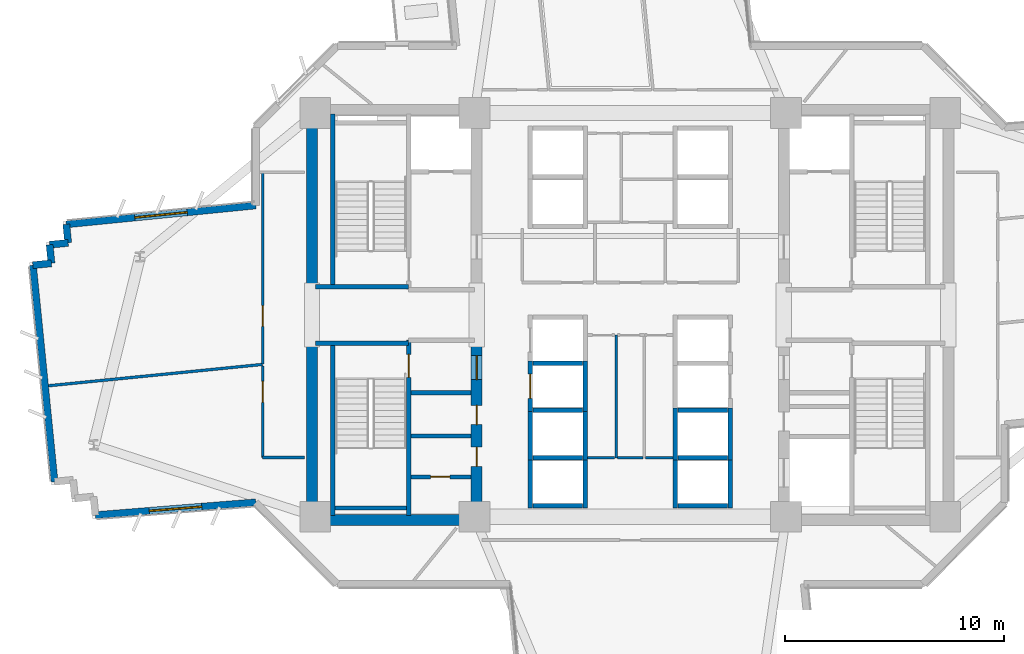
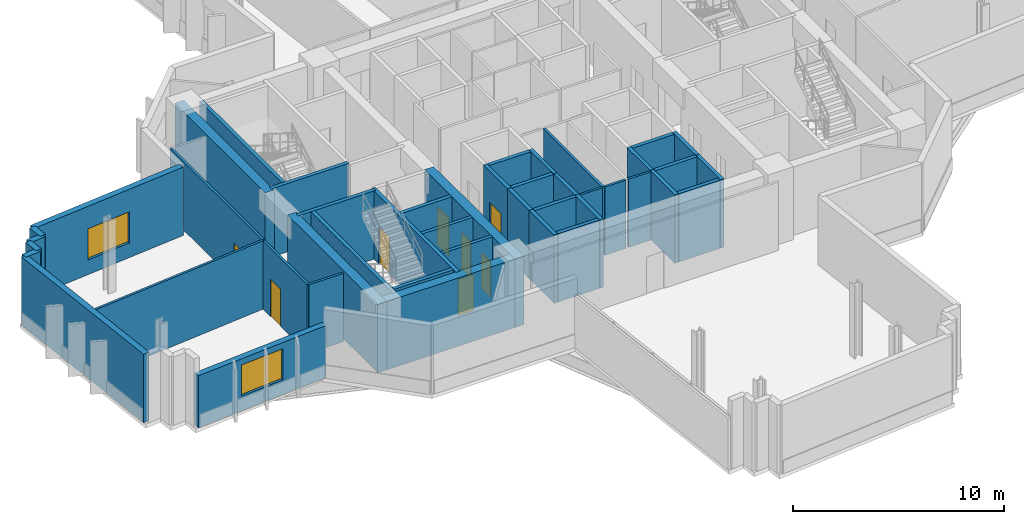
# One storey, part 6 of 14: 45 walls, 8 doors, 2 windows, 10 openings.
"""IFC4 building model written with IfcOpenShell, lengths in metres."""

import ifcopenshell
import ifcopenshell.guid

model = None  # the IFC model being written
_history = None  # IfcOwnerHistory: only IFC2X3 demands one
_inside = {}  # id of a spatial element -> (the spatial element, [elements in it])
_under = {}  # id of a project, library or spatial element -> (it, [spatial elements below it])
_declared = {}  # id of a project -> (the project, [libraries it declares])
_typed = {}  # id of a type object -> (the type object, [elements of that type])
_made_of = {}  # id of a material, layer set ... -> (it, [elements and type objects made of it])


def new_model(schema):
    """Start an empty IFC model of exactly this schema.

    Asked for "IFC4X3", IfcOpenShell would pick the latest addendum, in which some entities
    have other attributes; the version numbers below select the first issue.
    IFC2X3 requires an IfcOwnerHistory on every rooted entity: one is made here for all.
    """
    global model, _history
    if schema == "IFC4X3":
        model = ifcopenshell.file(schema_version=(4, 3, 0, 0))
    else:
        model = ifcopenshell.file(schema=schema)
    _inside.clear()
    _under.clear()
    _declared.clear()
    _typed.clear()
    _made_of.clear()
    _history = None
    if model.schema == "IFC2X3":
        org = make("IfcOrganization", Name="unknown")
        user = make(
            "IfcPersonAndOrganization",
            ThePerson=make("IfcPerson", FamilyName="unknown"),
            TheOrganization=org,
        )
        app = make(
            "IfcApplication",
            ApplicationDeveloper=org,
            Version="unknown",
            ApplicationFullName="unknown",
            ApplicationIdentifier="unknown",
        )
        _history = make(
            "IfcOwnerHistory",
            OwningUser=user,
            OwningApplication=app,
            ChangeAction="ADDED",
            CreationDate=0,
        )
    return model


def make(cls, **values):
    """One entity of the class cls with the attributes given. An attribute that is None is left unset."""
    return model.create_entity(
        cls, **{name: value for name, value in values.items() if value is not None}
    )


def rooted(cls, **values):
    """An entity with a GlobalId (a new one), such as an element, a storey or a relation."""
    return make(cls, GlobalId=ifcopenshell.guid.new(), OwnerHistory=_history, **values)


def si_unit(unit_type, name, prefix=None):
    """IfcSIUnit, for example si_unit("LENGTHUNIT", "METRE", prefix="MILLI")."""
    return make("IfcSIUnit", UnitType=unit_type, Prefix=prefix, Name=name)


def assignment(units):
    """IfcUnitAssignment: the units of a project."""
    return None if units is None else make("IfcUnitAssignment", Units=units)


def point(xyz):
    """IfcCartesianPoint."""
    return None if xyz is None else make("IfcCartesianPoint", Coordinates=xyz)


def direction(xyz):
    """IfcDirection."""
    return None if xyz is None else make("IfcDirection", DirectionRatios=xyz)


def frame(location, z_axis=None, x_axis=None):
    """IfcAxis2Placement3D, a coordinate frame: its origin and axes. An axis left out is left unset."""
    return make(
        "IfcAxis2Placement3D",
        Location=point(location),
        Axis=direction(z_axis),
        RefDirection=direction(x_axis),
    )


def frame_2d(location, x_axis=None):
    """IfcAxis2Placement2D, a coordinate frame in the plane: its origin and x axis."""
    return make(
        "IfcAxis2Placement2D", Location=point(location), RefDirection=direction(x_axis)
    )


def origin():
    """The frame at (0, 0, 0) with its axes left unset."""
    return frame((0.0, 0.0, 0.0))


def place(relative_to, where):
    """IfcLocalPlacement: puts the frame where relative to a parent placement (None: the world)."""
    return make(
        "IfcLocalPlacement", PlacementRelTo=relative_to, RelativePlacement=where
    )


def context(
    kind, dimensions, precision=None, world=None, true_north=None, identifier=None
):
    """IfcGeometricRepresentationContext, for example the 3D "Model" context."""
    return make(
        "IfcGeometricRepresentationContext",
        ContextIdentifier=identifier,
        ContextType=kind,
        CoordinateSpaceDimension=dimensions,
        Precision=precision,
        WorldCoordinateSystem=world,
        TrueNorth=true_north,
    )


def subcontext(parent, identifier, kind, view, scale=None):
    """IfcGeometricRepresentationSubContext, for example "Body" below "Model"."""
    return make(
        "IfcGeometricRepresentationSubContext",
        ContextIdentifier=identifier,
        ContextType=kind,
        ParentContext=parent,
        TargetScale=scale,
        TargetView=view,
    )


def project(units=None, contexts=None):
    """IfcProject with its units and contexts."""
    return rooted(
        "IfcProject",
        Name="project",
        RepresentationContexts=contexts,
        UnitsInContext=assignment(units),
    )


def spatial(cls, under=None, at=None, **own):
    """A site, building, storey or space (cls), placed at a placement, below another one or the project."""
    s = rooted(cls, ObjectPlacement=at, **own)
    if under is not None:
        _under.setdefault(under.id(), (under, []))[1].append(s)
    return s


def profile(cls, at=None, kind="AREA", **sizes):
    """A parametric profile (cls). Its sizes go by their IFC names, for example OverallWidth=200.0."""
    return make(cls, ProfileType=kind, Position=at, **sizes)


def rectangle(**sizes):
    """IfcRectangleProfileDef."""
    return profile("IfcRectangleProfileDef", **sizes)


def extrude(swept, where, along, depth):
    """IfcExtrudedAreaSolid: the profile swept, set in the frame where, extruded along a direction by depth."""
    return make(
        "IfcExtrudedAreaSolid",
        SweptArea=swept,
        Position=where,
        ExtrudedDirection=direction(along),
        Depth=depth,
    )


def shape(context_of_items, identifier, shape_type, items):
    """IfcShapeRepresentation: the items that make up one representation, for example the "Body"."""
    return make(
        "IfcShapeRepresentation",
        ContextOfItems=context_of_items,
        RepresentationIdentifier=identifier,
        RepresentationType=shape_type,
        Items=items,
    )


def source(mapping_origin, context_of_items, identifier, shape_type, items):
    """IfcRepresentationMap: a shape defined once, which mapped items show again and again."""
    return make(
        "IfcRepresentationMap",
        MappingOrigin=mapping_origin,
        MappedRepresentation=shape(context_of_items, identifier, shape_type, items),
    )


def transform(
    local_origin,
    x_axis=None,
    y_axis=None,
    z_axis=None,
    scale=None,
    scale2=None,
    scale3=None,
    uniform=True,
):
    """IfcCartesianTransformationOperator3D, or its non-uniform kind. x_axis, y_axis, z_axis: its Axis1, 2, 3."""
    if uniform:
        return make(
            "IfcCartesianTransformationOperator3D",
            Axis1=direction(x_axis),
            Axis2=direction(y_axis),
            LocalOrigin=point(local_origin),
            Scale=scale,
            Axis3=direction(z_axis),
        )
    return make(
        "IfcCartesianTransformationOperator3DnonUniform",
        Axis1=direction(x_axis),
        Axis2=direction(y_axis),
        LocalOrigin=point(local_origin),
        Scale=scale,
        Axis3=direction(z_axis),
        Scale2=scale2,
        Scale3=scale3,
    )


def mapped(mapping_source, mapping_target):
    """IfcMappedItem: shows the shape of a source again, moved by a transform."""
    return make(
        "IfcMappedItem", MappingSource=mapping_source, MappingTarget=mapping_target
    )


def material(Name=None, Category=None):
    """IfcMaterial."""
    return make("IfcMaterial", Name=Name, Category=Category)


def layer(
    of_material, thickness, ventilated=None, Name=None, Category=None, Priority=None
):
    """IfcMaterialLayer: one layer of a wall or slab, of a material (None: an air gap)."""
    return make(
        "IfcMaterialLayer",
        Material=of_material,
        LayerThickness=thickness,
        IsVentilated=ventilated,
        Name=Name,
        Category=Category,
        Priority=Priority,
    )


def layer_set(layers, Name=None):
    """IfcMaterialLayerSet."""
    return make("IfcMaterialLayerSet", MaterialLayers=layers, LayerSetName=Name)


def made_of(thing, what):
    """Note that an element or type object is made of a material, layer set ...; save() writes the relation."""
    if what is not None:
        _made_of.setdefault(what.id(), (what, []))[1].append(thing)
    return thing


def type_object(cls, material=None, **own):
    """A type object (cls), such as IfcWallType, which elements share."""
    return made_of(rooted(cls, **own), material)


def element(
    cls,
    number,
    at=None,
    inside=None,
    cuts=None,
    type_object=None,
    material=None,
    context=None,
    identifier="Body",
    shape_type=None,
    held_by="IfcProductDefinitionShape",
    body=None,
    shapes=None,
    **own,
):
    """One element of the class cls, such as IfcWall. Its Tag is "e" and its number.

    at: its placement. inside: the storey or other place that contains it. cuts: it is an
    opening in that element (IfcRelVoidsElement). A single representation is given by context,
    identifier, shape_type and body (its items); several are given by shapes. held_by: the class
    of the entity that holds the representations. save() writes the other relations.
    """
    e = rooted(cls, Tag="e%d" % number, ObjectPlacement=at, **own)
    if body is not None:
        shapes = [shape(context, identifier, shape_type, body)]
    if shapes is not None:
        e.Representation = make(held_by, Representations=shapes)
    if inside is not None:
        _inside.setdefault(inside.id(), (inside, []))[1].append(e)
    if cuts is not None:
        rooted(
            "IfcRelVoidsElement", RelatingBuildingElement=cuts, RelatedOpeningElement=e
        )
    if type_object is not None:
        _typed.setdefault(type_object.id(), (type_object, []))[1].append(e)
    return made_of(e, material)


def fill(opening, filler):
    """IfcRelFillsElement: the door or window that sits in an opening."""
    return rooted(
        "IfcRelFillsElement",
        RelatingOpeningElement=opening,
        RelatedBuildingElement=filler,
    )


def aggregate(whole, parts):
    """IfcRelAggregates: a whole, such as a stair, and the parts it consists of."""
    return rooted("IfcRelAggregates", RelatingObject=whole, RelatedObjects=parts)


def save(model, path):
    """Write the relations noted so far, then the file.

    IfcRelAggregates (storeys below a building ...), IfcRelContainedInSpatialStructure (elements
    in a storey), IfcRelDefinesByType, IfcRelAssociatesMaterial and IfcRelDeclares: one each for
    every whole, place, type object, material and project.
    """
    for whole, parts in _under.values():
        aggregate(whole, parts)
    for where, things in _inside.values():
        rooted(
            "IfcRelContainedInSpatialStructure",
            RelatedElements=things,
            RelatingStructure=where,
        )
    for kind, things in _typed.values():
        rooted("IfcRelDefinesByType", RelatedObjects=things, RelatingType=kind)
    for what, things in _made_of.values():
        rooted("IfcRelAssociatesMaterial", RelatedObjects=things, RelatingMaterial=what)
    for by, libraries in _declared.values():
        rooted("IfcRelDeclares", RelatingContext=by, RelatedDefinitions=libraries)
    model.write(path)


model = new_model("IFC4")

# Units and contexts
model_context = context("Model", 3, precision=1e-05, world=origin(), true_north=direction((0.0, 1.0)))
body_context = subcontext(model_context, "Body", "Model", "MODEL_VIEW")
ifc_project = project(units=[si_unit("LENGTHUNIT", "METRE"), si_unit("AREAUNIT", "SQUARE_METRE"), si_unit("VOLUMEUNIT", "CUBIC_METRE"), si_unit("PLANEANGLEUNIT", "RADIAN"), si_unit("MASSUNIT", "GRAM", prefix="KILO")], contexts=[model_context])

# Site, building, storey
site_placement = place(None, origin())
site = spatial("IfcSite", under=ifc_project, at=site_placement, CompositionType="ELEMENT")
building_placement = place(site_placement, origin())
building = spatial("IfcBuilding", under=site, at=building_placement, Name="Zahravan Cultural Tower", CompositionType="ELEMENT")
storey_placement = place(building_placement, frame((0.0, 0.0, 100.5)))
storey = spatial("IfcBuildingStorey", under=building, at=storey_placement, Name="L22", CompositionType="ELEMENT", Elevation=100.5)

# Wall, openings, doors
ifc_material_1 = material(Name="Concrete C60/75", Category="concrete")
ifc_layer_1 = layer(ifc_material_1, 0.5)
ifc_layer_set_1 = layer_set([ifc_layer_1], Name="Concrete C60/75")
wall_type_1 = type_object("IfcWallType", Name="CW-SHEAR-500-C60", PredefinedType="SHEAR", material=ifc_layer_set_1)
wall_1_placement = place(storey_placement, frame((29.0, 17.39990234375, 0.0), z_axis=(0.0, 0.0, 1.0), x_axis=(0.0, 1.0, 0.0)))
wall_1 = element("IfcWall", 1, at=wall_1_placement, inside=storey, type_object=wall_type_1, Name="L22 Core Shear Wall CW-W-ES-L22", PredefinedType="SHEAR", context=body_context, shape_type="SweptSolid", body=[
    extrude(rectangle(XDim=8.550048828125, YDim=0.5, at=frame_2d((4.27490234375, 0.0))), origin(), (0.0, 0.0, 1.0), 3.949951171875),
])
opening_1_placement = place(wall_1_placement, frame((6.64990234375, 0.0, 0.0)))
opening_1 = element("IfcOpeningElement", 2, at=opening_1_placement, cuts=wall_1, Name="Opening D-L22-07", PredefinedType="OPENING", context=body_context, shape_type="SweptSolid", body=[
    extrude(rectangle(XDim=1.10009765625, YDim=2.199951171875, at=frame_2d((0.550048828125, 1.10009765625))), frame((0.0, 0.260009765625, 0.0), z_axis=(0.0, -1.0, 0.0), x_axis=(1.0, 0.0, 0.0)), (0.0, 0.0, 1.0), 0.52001953125),
])
opening_2_placement = place(wall_1_placement, frame((2.699951171875, 0.0, 0.0)))
opening_2 = element("IfcOpeningElement", 3, at=opening_2_placement, cuts=wall_1, Name="Opening D-L22-10", PredefinedType="OPENING", context=body_context, shape_type="SweptSolid", body=[
    extrude(rectangle(XDim=0.8798828125, YDim=2.10009765625, at=frame_2d((0.43994140625, 1.050048828125))), frame((0.0, 0.260009765625, 0.0), z_axis=(0.0, -1.0, 0.0), x_axis=(1.0, 0.0, 0.0)), (0.0, 0.0, 1.0), 0.52001953125),
])
opening_3_placement = place(wall_1_placement, frame((4.60009765625, 0.0, 0.0)))
opening_3 = element("IfcOpeningElement", 4, at=opening_3_placement, cuts=wall_1, Name="Opening D-L22-11", PredefinedType="OPENING", context=body_context, shape_type="SweptSolid", body=[
    extrude(rectangle(XDim=0.8798828125, YDim=2.10009765625, at=frame_2d((0.43994140625, 1.050048828125))), frame((0.0, 0.260009765625, 0.0), z_axis=(0.0, -1.0, 0.0), x_axis=(1.0, 0.0, 0.0)), (0.0, 0.0, 1.0), 0.52001953125),
])
ifc_material_2 = material(Name="Steel ASTM A572 Grade 50", Category="steel")
door_type_1 = type_object("IfcDoorType", Name="DR-LOBBY-1100", OperationType="NOTDEFINED", PredefinedType="DOOR", material=ifc_material_2)
shared_shape_1 = source(origin(), body_context, "Body", "SweptSolid", [
    extrude(rectangle(XDim=1.10009765625, YDim=2.199951171875, at=frame_2d((0.550048828125, 1.10009765625))), frame((0.0, 0.02490234375, 0.0), z_axis=(0.0, -1.0, 0.0), x_axis=(1.0, 0.0, 0.0)), (0.0, 0.0, 1.0), 0.050048828125),
])
door_1_placement = place(opening_1_placement, origin())
door_1 = element("IfcDoor", 5, at=door_1_placement, inside=storey, type_object=door_type_1, Name="L22 Door D-L22-07", OperationType="SINGLE_SWING_RIGHT", OverallHeight=2.199951171875, OverallWidth=1.10009765625, PredefinedType="DOOR", context=body_context, shape_type="MappedRepresentation", body=[
    mapped(shared_shape_1, transform((0.0, 0.0, 0.0), x_axis=(1.0, 0.0, 0.0), y_axis=(0.0, 1.0, 0.0), z_axis=(0.0, 0.0, 1.0), scale=1.0)),
])
fill(opening_1, door_1)
door_type_2 = type_object("IfcDoorType", Name="DR-SVC-880", OperationType="NOTDEFINED", PredefinedType="DOOR", material=ifc_material_2)
shared_shape_2 = source(origin(), body_context, "Body", "SweptSolid", [
    extrude(rectangle(XDim=0.8798828125, YDim=2.10009765625, at=frame_2d((0.43994140625, 1.050048828125))), frame((0.0, 0.02490234375, 0.0), z_axis=(0.0, -1.0, 0.0), x_axis=(1.0, 0.0, 0.0)), (0.0, 0.0, 1.0), 0.050048828125),
])
door_2_placement = place(opening_2_placement, origin())
door_2 = element("IfcDoor", 6, at=door_2_placement, inside=storey, type_object=door_type_2, Name="L22 Door D-L22-10", OperationType="SINGLE_SWING_LEFT", OverallHeight=2.10009765625, OverallWidth=0.8798828125, PredefinedType="DOOR", context=body_context, shape_type="MappedRepresentation", body=[
    mapped(shared_shape_2, transform((0.0, 0.0, 0.0), x_axis=(1.0, 0.0, 0.0), y_axis=(0.0, 1.0, 0.0), z_axis=(0.0, 0.0, 1.0), scale=1.0)),
])
fill(opening_2, door_2)
door_3_placement = place(opening_3_placement, origin())
door_3 = element("IfcDoor", 7, at=door_3_placement, inside=storey, type_object=door_type_2, Name="L22 Door D-L22-11", OperationType="SINGLE_SWING_RIGHT", OverallHeight=2.10009765625, OverallWidth=0.8798828125, PredefinedType="DOOR", context=body_context, shape_type="MappedRepresentation", body=[
    mapped(shared_shape_2, transform((0.0, 0.0, 0.0), x_axis=(1.0, 0.0, 0.0), y_axis=(0.0, 1.0, 0.0), z_axis=(0.0, 0.0, 1.0), scale=1.0)),
])
fill(opening_3, door_3)

# Wall, opening, window
ifc_material_3 = material(Name="Precast concrete C40/50", Category="concrete")
ifc_layer_2 = layer(ifc_material_3, 0.320068359375)
ifc_layer_set_2 = layer_set([ifc_layer_2], Name="Precast concrete C40/50")
wall_type_2 = type_object("IfcWallType", Name="EW-TC-320", PredefinedType="SOLIDWALL", material=ifc_layer_set_2)
wall_2_placement = place(storey_placement, frame((18.93994140625, 18.4580078125, 0.0), z_axis=(0.0, 0.0, 1.0), x_axis=(-0.996827539556, -0.079591811023, 0.0)))
wall_2 = element("IfcWall", 8, at=wall_2_placement, inside=storey, type_object=wall_type_2, Name="L22 Exterior Masonry Frame Wall 01", PredefinedType="SOLIDWALL", context=body_context, shape_type="SweptSolid", body=[
    extrude(rectangle(XDim=7.337158203125, YDim=0.320068359375, at=frame_2d((3.66845703125, 0.0))), origin(), (0.0, 0.0, 1.0), 3.010009765625),
])
opening_4_placement = place(wall_2_placement, frame((2.468994140625, 0.0, 0.85009765625)))
opening_4 = element("IfcOpeningElement", 9, at=opening_4_placement, cuts=wall_2, Name="Opening WN-01", PredefinedType="OPENING", context=body_context, shape_type="SweptSolid", body=[
    extrude(rectangle(XDim=2.39990234375, YDim=1.800048828125, at=frame_2d((1.199951171875, 0.89990234375))), frame((0.0, 0.169921875, 0.0), z_axis=(0.0, -1.0, 0.0), x_axis=(1.0, 0.0, 0.0)), (0.0, 0.0, 1.0), 0.340087890625),
])
ifc_material_4 = material(Name="Low-E solar-control double glazing", Category="glass")
window_type = type_object("IfcWindowType", Name="WN-REC-2400X1800", PartitioningType="DOUBLE_PANEL_VERTICAL", PredefinedType="WINDOW", material=ifc_material_4)
shared_shape_3 = source(origin(), body_context, "Body", "SweptSolid", [
    extrude(rectangle(XDim=2.39990234375, YDim=1.800048828125, at=frame_2d((1.199951171875, 0.89990234375))), frame((0.0, 0.030029296875, 0.0), z_axis=(0.0, -1.0, 0.0), x_axis=(1.0, 0.0, 0.0)), (0.0, 0.0, 1.0), 0.06005859375),
])
window_1_placement = place(opening_4_placement, origin())
window_1 = element("IfcWindow", 10, at=window_1_placement, inside=storey, type_object=window_type, Name="L22 Recessed Solar Window 01", OverallHeight=1.800048828125, OverallWidth=2.39990234375, PartitioningType="DOUBLE_PANEL_VERTICAL", PredefinedType="WINDOW", context=body_context, shape_type="MappedRepresentation", body=[
    mapped(shared_shape_3, transform((0.0, 0.0, 0.0), x_axis=(1.0, 0.0, 0.0), y_axis=(0.0, 1.0, 0.0), z_axis=(0.0, 0.0, 1.0), scale=1.0)),
])
fill(opening_4, window_1)

wall_3_placement = place(storey_placement, frame((10.302978515625, 31.128173828125, 0.0), z_axis=(0.0, 0.0, 1.0), x_axis=(0.995055831351, 0.099317130918, 0.0)))
wall_3 = element("IfcWall", 11, at=wall_3_placement, inside=storey, type_object=wall_type_2, Name="L22 Exterior Masonry Frame Wall 11", PredefinedType="SOLIDWALL", context=body_context, shape_type="SweptSolid", body=[
    extrude(rectangle(XDim=8.679931640625, YDim=0.320068359375, at=frame_2d((4.33984375, 0.0))), origin(), (0.0, 0.0, 1.0), 3.949951171875),
])
opening_5_placement = place(wall_3_placement, frame((3.139892578125, 0.0, 0.85009765625)))
opening_5 = element("IfcOpeningElement", 12, at=opening_5_placement, cuts=wall_3, Name="Opening WN-01", PredefinedType="OPENING", context=body_context, shape_type="SweptSolid", body=[
    extrude(rectangle(XDim=2.39990234375, YDim=1.800048828125, at=frame_2d((1.199951171875, 0.89990234375))), frame((0.0, 0.169921875, 0.0), z_axis=(0.0, -1.0, 0.0), x_axis=(1.0, 0.0, 0.0)), (0.0, 0.0, 1.0), 0.340087890625),
])
window_2_placement = place(opening_5_placement, origin())
window_2 = element("IfcWindow", 13, at=window_2_placement, inside=storey, type_object=window_type, Name="L22 Recessed Solar Window 02", OverallHeight=1.800048828125, OverallWidth=2.39990234375, PartitioningType="DOUBLE_PANEL_VERTICAL", PredefinedType="WINDOW", context=body_context, shape_type="MappedRepresentation", body=[
    mapped(shared_shape_3, transform((0.0, 0.0, 0.0), x_axis=(1.0, 0.0, 0.0), y_axis=(0.0, 1.0, 0.0), z_axis=(0.0, 0.0, 1.0), scale=1.0)),
])
fill(opening_5, window_2)

# Wall, opening, door
ifc_material_5 = material(Name="Gypsum plasterboard partition")
ifc_layer_3 = layer(ifc_material_5, 0.179931640625)
ifc_layer_set_3 = layer_set([ifc_layer_3], Name="Gypsum plasterboard partition")
wall_type_3 = type_object("IfcWallType", Name="W-COMP-180", PredefinedType="PARTITIONING", material=ifc_layer_set_3)
wall_4_placement = place(storey_placement, frame((26.0, 19.6201171875, 0.0), z_axis=(0.0, 0.0, 1.0), x_axis=(1.0, 0.0, 0.0)))
wall_4 = element("IfcWall", 14, at=wall_4_placement, inside=storey, type_object=wall_type_3, Name="L22 Interior Wall 026", PredefinedType="PARTITIONING", context=body_context, shape_type="SweptSolid", body=[
    extrude(rectangle(XDim=2.75, YDim=0.179931640625, at=frame_2d((1.375, 0.0))), origin(), (0.0, 0.0, 1.0), 3.949951171875),
])
opening_6_placement = place(wall_4_placement, frame((0.89990234375, 0.0, 0.0)))
opening_6 = element("IfcOpeningElement", 15, at=opening_6_placement, cuts=wall_4, Name="Opening D-L22-09", PredefinedType="OPENING", context=body_context, shape_type="SweptSolid", body=[
    extrude(rectangle(XDim=0.8798828125, YDim=2.10009765625, at=frame_2d((0.43994140625, 1.050048828125))), frame((0.0, 0.099853515625, 0.0), z_axis=(0.0, -1.0, 0.0), x_axis=(1.0, 0.0, 0.0)), (0.0, 0.0, 1.0), 0.199951171875),
])
door_4_placement = place(opening_6_placement, origin())
door_4 = element("IfcDoor", 16, at=door_4_placement, inside=storey, type_object=door_type_2, Name="L22 Door D-L22-09", OperationType="SINGLE_SWING_RIGHT", OverallHeight=2.10009765625, OverallWidth=0.8798828125, PredefinedType="DOOR", context=body_context, shape_type="MappedRepresentation", body=[
    mapped(shared_shape_2, transform((0.0, 0.0, 0.0), x_axis=(1.0, 0.0, 0.0), y_axis=(0.0, 1.0, 0.0), z_axis=(0.0, 0.0, 1.0), scale=1.0)),
])
fill(opening_6, door_4)

ifc_layer_4 = layer(ifc_material_5, 0.125)
ifc_layer_set_4 = layer_set([ifc_layer_4], Name="Gypsum plasterboard partition")
wall_type_4 = type_object("IfcWallType", Name="W-PART-125", PredefinedType="PARTITIONING", material=ifc_layer_set_4)
wall_5_placement = place(storey_placement, frame((19.25, 24.677490234375, 0.0), z_axis=(0.0, 0.0, 1.0), x_axis=(0.000116979586, -0.999999993158, 0.0)))
wall_5 = element("IfcWall", 17, at=wall_5_placement, inside=storey, type_object=wall_type_4, Name="L22 Interior Wall 108", PredefinedType="PARTITIONING", context=body_context, shape_type="SweptSolid", body=[
    extrude(rectangle(XDim=4.174072265625, YDim=0.125, at=frame_2d((2.0869140625, 0.0))), origin(), (0.0, 0.0, 1.0), 3.949951171875),
])
opening_7_placement = place(wall_5_placement, frame((0.709228515625, 0.0, 0.0)))
opening_7 = element("IfcOpeningElement", 18, at=opening_7_placement, cuts=wall_5, Name="Opening D-L22-28", PredefinedType="OPENING", context=body_context, shape_type="SweptSolid", body=[
    extrude(rectangle(XDim=0.949951171875, YDim=2.14990234375, at=frame_2d((0.47509765625, 1.074951171875))), frame((0.0, 0.072509765625, 0.0), z_axis=(0.0, -1.0, 0.0), x_axis=(1.0, 0.0, 0.0)), (0.0, 0.0, 1.0), 0.14501953125),
])
ifc_material_6 = material(Name="Anodised bronze-aluminium mullion", Category="aluminium")
door_type_3 = type_object("IfcDoorType", Name="DR-ROOM-950", OperationType="NOTDEFINED", PredefinedType="DOOR", material=ifc_material_6)
shared_shape_4 = source(origin(), body_context, "Body", "SweptSolid", [
    extrude(rectangle(XDim=0.949951171875, YDim=2.14990234375, at=frame_2d((0.47509765625, 1.074951171875))), frame((0.0, 0.02490234375, 0.0), z_axis=(0.0, -1.0, 0.0), x_axis=(1.0, 0.0, 0.0)), (0.0, 0.0, 1.0), 0.050048828125),
])
door_5_placement = place(opening_7_placement, origin())
door_5 = element("IfcDoor", 19, at=door_5_placement, inside=storey, type_object=door_type_3, Name="L22 Door D-L22-28", OperationType="SINGLE_SWING_LEFT", OverallHeight=2.14990234375, OverallWidth=0.949951171875, PredefinedType="DOOR", context=body_context, shape_type="MappedRepresentation", body=[
    mapped(shared_shape_4, transform((0.0, 0.0, 0.0), x_axis=(1.0, 0.0, 0.0), y_axis=(0.0, 1.0, 0.0), z_axis=(0.0, 0.0, 1.0), scale=1.0)),
])
fill(opening_7, door_5)

wall_6_placement = place(storey_placement, frame((19.252685546875, 33.497314453125, 0.0), z_axis=(0.0, 0.0, 1.0), x_axis=(-0.000307554646, -0.999999952705, 0.0)))
wall_6 = element("IfcWall", 20, at=wall_6_placement, inside=storey, type_object=wall_type_4, Name="L22 Interior Wall 112", PredefinedType="PARTITIONING", context=body_context, shape_type="SweptSolid", body=[
    extrude(rectangle(XDim=8.73193359375, YDim=0.125, at=frame_2d((4.365966796875, 0.0))), origin(), (0.0, 0.0, 1.0), 3.949951171875),
])
opening_8_placement = place(wall_6_placement, frame((6.06982421875, 0.0, 0.0)))
opening_8 = element("IfcOpeningElement", 21, at=opening_8_placement, cuts=wall_6, Name="Opening D-L22-27", PredefinedType="OPENING", context=body_context, shape_type="SweptSolid", body=[
    extrude(rectangle(XDim=0.949951171875, YDim=2.14990234375, at=frame_2d((0.47509765625, 1.074951171875))), frame((0.0, 0.072509765625, 0.0), z_axis=(0.0, -1.0, 0.0), x_axis=(1.0, 0.0, 0.0)), (0.0, 0.0, 1.0), 0.14501953125),
])
door_6_placement = place(opening_8_placement, origin())
door_6 = element("IfcDoor", 22, at=door_6_placement, inside=storey, type_object=door_type_3, Name="L22 Door D-L22-27", OperationType="SINGLE_SWING_RIGHT", OverallHeight=2.14990234375, OverallWidth=0.949951171875, PredefinedType="DOOR", context=body_context, shape_type="MappedRepresentation", body=[
    mapped(shared_shape_4, transform((0.0, 0.0, 0.0), x_axis=(1.0, 0.0, 0.0), y_axis=(0.0, 1.0, 0.0), z_axis=(0.0, 0.0, 1.0), scale=1.0)),
])
fill(opening_8, door_6)

ifc_material_7 = material(Name="Concrete C45/55", Category="concrete")
ifc_layer_5 = layer(ifc_material_7, 0.199951171875)
ifc_layer_set_5 = layer_set([ifc_layer_5], Name="Concrete C45/55")
wall_type_5 = type_object("IfcWallType", Name="W-SHAFT-200", PredefinedType="SOLIDWALL", material=ifc_layer_set_5)
wall_7_placement = place(storey_placement, frame((25.89990234375, 17.85009765625, 0.0), z_axis=(0.0, 0.0, 1.0), x_axis=(0.0, 1.0, 0.0)))
wall_7 = element("IfcWall", 23, at=wall_7_placement, inside=storey, type_object=wall_type_5, Name="L22 Interior Wall 005", PredefinedType="SOLIDWALL", context=body_context, shape_type="SweptSolid", body=[
    extrude(rectangle(XDim=8.0, YDim=0.199951171875, at=frame_2d((4.0, 0.0))), origin(), (0.0, 0.0, 1.0), 3.949951171875),
])
opening_9_placement = place(wall_7_placement, frame((6.300048828125, 0.0, 0.0)))
opening_9 = element("IfcOpeningElement", 24, at=opening_9_placement, cuts=wall_7, Name="Opening D-L22-04", PredefinedType="OPENING", context=body_context, shape_type="SweptSolid", body=[
    extrude(rectangle(XDim=1.050048828125, YDim=2.14990234375, at=frame_2d((0.52490234375, 1.074951171875))), frame((0.0, 0.10986328125, 0.0), z_axis=(0.0, -1.0, 0.0), x_axis=(1.0, 0.0, 0.0)), (0.0, 0.0, 1.0), 0.219970703125),
])
door_type_4 = type_object("IfcDoorType", Name="DR-STAIR-1050", OperationType="NOTDEFINED", PredefinedType="DOOR", material=ifc_material_2)
shared_shape_5 = source(origin(), body_context, "Body", "SweptSolid", [
    extrude(rectangle(XDim=1.050048828125, YDim=2.14990234375, at=frame_2d((0.52490234375, 1.074951171875))), frame((0.0, 0.02490234375, 0.0), z_axis=(0.0, -1.0, 0.0), x_axis=(1.0, 0.0, 0.0)), (0.0, 0.0, 1.0), 0.050048828125),
])
door_7_placement = place(opening_9_placement, origin())
door_7 = element("IfcDoor", 25, at=door_7_placement, inside=storey, type_object=door_type_4, Name="L22 Door D-L22-04", OperationType="SINGLE_SWING_LEFT", OverallHeight=2.14990234375, OverallWidth=1.050048828125, PredefinedType="DOOR", context=body_context, shape_type="MappedRepresentation", body=[
    mapped(shared_shape_5, transform((0.0, 0.0, 0.0), x_axis=(1.0, 0.0, 0.0), y_axis=(0.0, 1.0, 0.0), z_axis=(0.0, 0.0, 1.0), scale=1.0)),
])
fill(opening_9, door_7)

wall_8_placement = place(storey_placement, frame((31.449951171875, 22.60009765625, 0.0), z_axis=(0.0, 0.0, 1.0), x_axis=(0.0, 1.0, 0.0)))
wall_8 = element("IfcWall", 26, at=wall_8_placement, inside=storey, type_object=wall_type_5, Name="L22 Interior Wall 061", PredefinedType="SOLIDWALL", context=body_context, shape_type="SweptSolid", body=[
    extrude(rectangle(XDim=2.2998046875, YDim=0.199951171875, at=frame_2d((1.14990234375, 0.0))), origin(), (0.0, 0.0, 1.0), 3.949951171875),
])
opening_10_placement = place(wall_8_placement, frame((0.60009765625, 0.0, 0.0)))
opening_10 = element("IfcOpeningElement", 27, at=opening_10_placement, cuts=wall_8, Name="Opening LD-L22-05", PredefinedType="OPENING", context=body_context, shape_type="SweptSolid", body=[
    extrude(rectangle(XDim=1.10009765625, YDim=2.14990234375, at=frame_2d((0.550048828125, 1.074951171875))), frame((0.0, 0.10986328125, 0.0), z_axis=(0.0, -1.0, 0.0), x_axis=(1.0, 0.0, 0.0)), (0.0, 0.0, 1.0), 0.219970703125),
])
door_type_5 = type_object("IfcDoorType", Name="DR-LIFT-1100", OperationType="DOUBLE_DOOR_SLIDING", PredefinedType="DOOR", material=ifc_material_2)
shared_shape_6 = source(origin(), body_context, "Body", "SweptSolid", [
    extrude(rectangle(XDim=1.10009765625, YDim=2.14990234375, at=frame_2d((0.550048828125, 1.074951171875))), frame((0.0, 0.02490234375, 0.0), z_axis=(0.0, -1.0, 0.0), x_axis=(1.0, 0.0, 0.0)), (0.0, 0.0, 1.0), 0.050048828125),
])
door_8_placement = place(opening_10_placement, origin())
door_8 = element("IfcDoor", 28, at=door_8_placement, inside=storey, type_object=door_type_5, Name="L22 Door LD-L22-05", OperationType="DOUBLE_DOOR_SLIDING", OverallHeight=2.14990234375, OverallWidth=1.10009765625, PredefinedType="DOOR", context=body_context, shape_type="MappedRepresentation", body=[
    mapped(shared_shape_6, transform((0.0, 0.0, 0.0), x_axis=(1.0, 0.0, 0.0), y_axis=(0.0, 1.0, 0.0), z_axis=(0.0, 0.0, 1.0), scale=1.0)),
])
fill(opening_10, door_8)

# Walls
shared_shape_7 = source(origin(), body_context, "Body", "SweptSolid", [
    extrude(rectangle(XDim=8.550048828125, YDim=0.5, at=frame_2d((4.27490234375, 0.0))), origin(), (0.0, 0.0, 1.0), 3.949951171875),
])
for number, where, z_axis, x_axis, name in (
    (29, (21.5, 17.39990234375, 0.0), (0.0, 0.0, 1.0), (0.0, 1.0, 0.0), "L22 Core Shear Wall CW-W-WS-L22"),
    (30, (21.5, 28.050048828125, 0.0), (0.0, 0.0, 1.0), (0.0, 1.0, 0.0), "L22 Core Shear Wall CW-W-WN-L22"),
):
    element("IfcWall", number, at=place(storey_placement, frame(where, z_axis=z_axis, x_axis=x_axis)), inside=storey, type_object=wall_type_1, Name=name, PredefinedType="SHEAR", context=body_context, shape_type="MappedRepresentation", body=[
        mapped(shared_shape_7, transform((0.0, 0.0, 0.0), x_axis=(1.0, 0.0, 0.0), y_axis=(0.0, 1.0, 0.0), z_axis=(0.0, 0.0, 1.0), scale=1.0)),
    ])
shared_shape_8 = source(origin(), body_context, "Body", "SweptSolid", [
    extrude(rectangle(XDim=7.0, YDim=0.5, at=frame_2d((3.5, 0.0))), origin(), (0.0, 0.0, 1.0), 3.949951171875),
])
wall_9_placement = place(storey_placement, frame((21.75, 17.64990234375, 0.0), z_axis=(0.0, 0.0, 1.0), x_axis=(1.0, 0.0, 0.0)))
element("IfcWall", 31, at=wall_9_placement, inside=storey, type_object=wall_type_1, Name="L22 Core Shear Wall CW-W-S-L22", PredefinedType="SHEAR", context=body_context, shape_type="MappedRepresentation", body=[
    mapped(shared_shape_8, transform((0.0, 0.0, 0.0), x_axis=(1.0, 0.0, 0.0), y_axis=(0.0, 1.0, 0.0), z_axis=(0.0, 0.0, 1.0), scale=1.0)),
])
shared_shape_9 = source(origin(), body_context, "Body", "SweptSolid", [
    extrude(rectangle(XDim=0.849853515625, YDim=0.320068359375, at=frame_2d((0.4248046875, 0.0))), origin(), (0.0, 0.0, 1.0), 3.949951171875),
])
for number, where, z_axis, x_axis, name in (
    (32, (8.7802734375, 29.267822265625, 0.0), (0.0, 0.0, 1.0), (0.995048560111, 0.09938995433, 0.0), "L22 Exterior Masonry Frame Wall 07"),
    (33, (9.6259765625, 29.352294921875, 0.0), (0.0, 0.0, 1.0), (-0.09938995433, 0.995048560111, 0.0), "L22 Exterior Masonry Frame Wall 08"),
    (34, (9.54150390625, 30.197998046875, 0.0), (0.0, 0.0, 1.0), (0.995048560111, 0.09938995433, 0.0), "L22 Exterior Masonry Frame Wall 09"),
    (35, (10.38720703125, 30.282470703125, 0.0), (0.0, 0.0, 1.0), (-0.099105525559, 0.995076929088, 0.0), "L22 Exterior Masonry Frame Wall 10"),
):
    element("IfcWall", number, at=place(storey_placement, frame(where, z_axis=z_axis, x_axis=x_axis)), inside=storey, type_object=wall_type_2, Name=name, PredefinedType="SOLIDWALL", context=body_context, shape_type="MappedRepresentation", body=[
        mapped(shared_shape_9, transform((0.0, 0.0, 0.0), x_axis=(1.0, 0.0, 0.0), y_axis=(0.0, 1.0, 0.0), z_axis=(0.0, 0.0, 1.0), scale=1.0)),
    ])
shared_shape_10 = source(origin(), body_context, "Body", "SweptSolid", [
    extrude(rectangle(XDim=9.920166015625, YDim=0.320068359375, at=frame_2d((4.9599609375, 0.0))), origin(), (0.0, 0.0, 1.0), 3.949951171875),
])
wall_10_placement = place(storey_placement, frame((9.765380859375, 19.396728515625, 0.0), z_axis=(0.0, 0.0, 1.0), x_axis=(-0.099303907908, 0.995057151059, 0.0)))
element("IfcWall", 36, at=wall_10_placement, inside=storey, type_object=wall_type_2, Name="L22 Exterior Masonry Frame Wall 06", PredefinedType="SOLIDWALL", context=body_context, shape_type="MappedRepresentation", body=[
    mapped(shared_shape_10, transform((0.0, 0.0, 0.0), x_axis=(1.0, 0.0, 0.0), y_axis=(0.0, 1.0, 0.0), z_axis=(0.0, 0.0, 1.0), scale=1.0)),
])
shared_shape_11 = source(origin(), body_context, "Body", "SweptSolid", [
    extrude(rectangle(XDim=7.869873046875, YDim=0.199951171875, at=frame_2d((3.93505859375, 0.0))), origin(), (0.0, 0.0, 1.0), 3.949951171875),
])
for number, where, z_axis, x_axis, name in (
    (37, (22.449951171875, 17.85009765625, 0.0), (0.0, 0.0, 1.0), (0.0, 1.0, 0.0), "L22 Interior Wall 001"),
    (38, (22.449951171875, 28.280029296875, 0.0), (0.0, 0.0, 1.0), (0.0, 1.0, 0.0), "L22 Interior Wall 002"),
):
    element("IfcWall", number, at=place(storey_placement, frame(where, z_axis=z_axis, x_axis=x_axis)), inside=storey, type_object=wall_type_5, Name=name, PredefinedType="SOLIDWALL", context=body_context, shape_type="MappedRepresentation", body=[
        mapped(shared_shape_11, transform((0.0, 0.0, 0.0), x_axis=(1.0, 0.0, 0.0), y_axis=(0.0, 1.0, 0.0), z_axis=(0.0, 0.0, 1.0), scale=1.0)),
    ])
shared_shape_12 = source(origin(), body_context, "Body", "SweptSolid", [
    extrude(rectangle(XDim=4.25, YDim=0.199951171875, at=frame_2d((2.125, 0.0))), origin(), (0.0, 0.0, 1.0), 3.949951171875),
])
for number, where, z_axis, x_axis, name in (
    (39, (21.64990234375, 25.715087890625, 0.0), (0.0, 0.0, 1.0), (1.0, 0.0, 0.0), "L22 Interior Wall 009"),
    (40, (21.64990234375, 28.284912109375, 0.0), (0.0, 0.0, 1.0), (1.0, 0.0, 0.0), "L22 Interior Wall 011"),
):
    element("IfcWall", number, at=place(storey_placement, frame(where, z_axis=z_axis, x_axis=x_axis)), inside=storey, type_object=wall_type_5, Name=name, PredefinedType="SOLIDWALL", context=body_context, shape_type="MappedRepresentation", body=[
        mapped(shared_shape_12, transform((0.0, 0.0, 0.0), x_axis=(1.0, 0.0, 0.0), y_axis=(0.0, 1.0, 0.0), z_axis=(0.0, 0.0, 1.0), scale=1.0)),
    ])
shared_shape_13 = source(origin(), body_context, "Body", "SweptSolid", [
    extrude(rectangle(XDim=3.25, YDim=0.199951171875, at=frame_2d((1.625, 0.0))), origin(), (0.0, 0.0, 1.0), 3.949951171875),
])
wall_11_placement = place(storey_placement, frame((22.550048828125, 18.199951171875, 0.0), z_axis=(0.0, 0.0, 1.0), x_axis=(1.0, 0.0, 0.0)))
element("IfcWall", 41, at=wall_11_placement, inside=storey, type_object=wall_type_5, Name="L22 Interior Wall 019", PredefinedType="SOLIDWALL", context=body_context, shape_type="MappedRepresentation", body=[
    mapped(shared_shape_13, transform((0.0, 0.0, 0.0), x_axis=(1.0, 0.0, 0.0), y_axis=(0.0, 1.0, 0.0), z_axis=(0.0, 0.0, 1.0), scale=1.0)),
])
shared_shape_14 = source(origin(), body_context, "Body", "SweptSolid", [
    extrude(rectangle(XDim=2.75, YDim=0.199951171875, at=frame_2d((1.375, 0.0))), origin(), (0.0, 0.0, 1.0), 3.949951171875),
])
wall_12_placement = place(storey_placement, frame((26.0, 23.449951171875, 0.0), z_axis=(0.0, 0.0, 1.0), x_axis=(1.0, 0.0, 0.0)))
element("IfcWall", 42, at=wall_12_placement, inside=storey, type_object=wall_type_5, Name="L22 Interior Wall 023", PredefinedType="SOLIDWALL", context=body_context, shape_type="MappedRepresentation", body=[
    mapped(shared_shape_14, transform((0.0, 0.0, 0.0), x_axis=(1.0, 0.0, 0.0), y_axis=(0.0, 1.0, 0.0), z_axis=(0.0, 0.0, 1.0), scale=1.0)),
])
shared_shape_15 = source(origin(), body_context, "Body", "SweptSolid", [
    extrude(rectangle(XDim=2.260009765625, YDim=0.199951171875, at=frame_2d((1.1298828125, 0.0))), origin(), (0.0, 0.0, 1.0), 3.949951171875),
])
for number, where, z_axis, x_axis, name in (
    (43, (31.570068359375, 20.5, 0.0), (0.0, 0.0, 1.0), (1.0, 0.0, 0.0), "L22 Interior Wall 045"),
    (44, (31.570068359375, 22.64990234375, 0.0), (0.0, 0.0, 1.0), (1.0, 0.0, 0.0), "L22 Interior Wall 046"),
    (45, (31.570068359375, 18.300048828125, 0.0), (0.0, 0.0, 1.0), (1.0, 0.0, 0.0), "L22 Interior Wall 049"),
    (46, (38.169921875, 20.5, 0.0), (0.0, 0.0, 1.0), (1.0, 0.0, 0.0), "L22 Interior Wall 052"),
    (47, (38.169921875, 22.64990234375, 0.0), (0.0, 0.0, 1.0), (1.0, 0.0, 0.0), "L22 Interior Wall 053"),
    (48, (38.169921875, 18.300048828125, 0.0), (0.0, 0.0, 1.0), (1.0, 0.0, 0.0), "L22 Interior Wall 056"),
    (49, (31.570068359375, 24.800048828125, 0.0), (0.0, 0.0, 1.0), (1.0, 0.0, 0.0), "L22 Interior Wall 059"),
):
    element("IfcWall", number, at=place(storey_placement, frame(where, z_axis=z_axis, x_axis=x_axis)), inside=storey, type_object=wall_type_5, Name=name, PredefinedType="SOLIDWALL", context=body_context, shape_type="MappedRepresentation", body=[
        mapped(shared_shape_15, transform((0.0, 0.0, 0.0), x_axis=(1.0, 0.0, 0.0), y_axis=(0.0, 1.0, 0.0), z_axis=(0.0, 0.0, 1.0), scale=1.0)),
    ])
shared_shape_16 = source(origin(), body_context, "Body", "SweptSolid", [
    extrude(rectangle(XDim=2.35009765625, YDim=0.199951171875, at=frame_2d((1.175048828125, 0.0))), origin(), (0.0, 0.0, 1.0), 3.949951171875),
])
for number, where, z_axis, x_axis, name in (
    (50, (31.449951171875, 20.39990234375, 0.0), (0.0, 0.0, 1.0), (0.0, 1.0, 0.0), "L22 Interior Wall 043"),
    (51, (33.949951171875, 20.39990234375, 0.0), (0.0, 0.0, 1.0), (0.0, 1.0, 0.0), "L22 Interior Wall 044"),
    (52, (31.449951171875, 18.199951171875, 0.0), (0.0, 0.0, 1.0), (0.0, 1.0, 0.0), "L22 Interior Wall 047"),
    (53, (33.949951171875, 18.199951171875, 0.0), (0.0, 0.0, 1.0), (0.0, 1.0, 0.0), "L22 Interior Wall 048"),
    (54, (38.050048828125, 20.39990234375, 0.0), (0.0, 0.0, 1.0), (0.0, 1.0, 0.0), "L22 Interior Wall 050"),
    (55, (40.550048828125, 20.39990234375, 0.0), (0.0, 0.0, 1.0), (0.0, 1.0, 0.0), "L22 Interior Wall 051"),
    (56, (38.050048828125, 18.199951171875, 0.0), (0.0, 0.0, 1.0), (0.0, 1.0, 0.0), "L22 Interior Wall 054"),
    (57, (40.550048828125, 18.199951171875, 0.0), (0.0, 0.0, 1.0), (0.0, 1.0, 0.0), "L22 Interior Wall 055"),
):
    element("IfcWall", number, at=place(storey_placement, frame(where, z_axis=z_axis, x_axis=x_axis)), inside=storey, type_object=wall_type_5, Name=name, PredefinedType="SOLIDWALL", context=body_context, shape_type="MappedRepresentation", body=[
        mapped(shared_shape_16, transform((0.0, 0.0, 0.0), x_axis=(1.0, 0.0, 0.0), y_axis=(0.0, 1.0, 0.0), z_axis=(0.0, 0.0, 1.0), scale=1.0)),
    ])
shared_shape_17 = source(origin(), body_context, "Body", "SweptSolid", [
    extrude(rectangle(XDim=2.2998046875, YDim=0.199951171875, at=frame_2d((1.14990234375, 0.0))), origin(), (0.0, 0.0, 1.0), 3.949951171875),
])
wall_13_placement = place(storey_placement, frame((33.949951171875, 22.60009765625, 0.0), z_axis=(0.0, 0.0, 1.0), x_axis=(0.0, 1.0, 0.0)))
element("IfcWall", 58, at=wall_13_placement, inside=storey, type_object=wall_type_5, Name="L22 Interior Wall 062", PredefinedType="SOLIDWALL", context=body_context, shape_type="MappedRepresentation", body=[
    mapped(shared_shape_17, transform((0.0, 0.0, 0.0), x_axis=(1.0, 0.0, 0.0), y_axis=(0.0, 1.0, 0.0), z_axis=(0.0, 0.0, 1.0), scale=1.0)),
])
shared_shape_18 = source(origin(), body_context, "Body", "SweptSolid", [
    extrude(rectangle(XDim=2.75, YDim=0.179931640625, at=frame_2d((1.375, 0.0))), origin(), (0.0, 0.0, 1.0), 3.949951171875),
])
wall_14_placement = place(storey_placement, frame((26.0, 21.47998046875, 0.0), z_axis=(0.0, 0.0, 1.0), x_axis=(1.0, 0.0, 0.0)))
element("IfcWall", 59, at=wall_14_placement, inside=storey, type_object=wall_type_3, Name="L22 Interior Wall 027", PredefinedType="PARTITIONING", context=body_context, shape_type="MappedRepresentation", body=[
    mapped(shared_shape_18, transform((0.0, 0.0, 0.0), x_axis=(1.0, 0.0, 0.0), y_axis=(0.0, 1.0, 0.0), z_axis=(0.0, 0.0, 1.0), scale=1.0)),
])
shared_shape_19 = source(origin(), body_context, "Body", "SweptSolid", [
    extrude(rectangle(XDim=5.590087890625, YDim=0.125, at=frame_2d((2.794921875, 0.0))), origin(), (0.0, 0.0, 1.0), 3.949951171875),
])
wall_15_placement = place(storey_placement, frame((35.360107421875, 20.489990234375, 0.0), z_axis=(0.0, 0.0, 1.0), x_axis=(0.0, 1.0, 0.0)))
element("IfcWall", 60, at=wall_15_placement, inside=storey, type_object=wall_type_4, Name="L22 Interior Wall 076", PredefinedType="PARTITIONING", context=body_context, shape_type="MappedRepresentation", body=[
    mapped(shared_shape_19, transform((0.0, 0.0, 0.0), x_axis=(1.0, 0.0, 0.0), y_axis=(0.0, 1.0, 0.0), z_axis=(0.0, 0.0, 1.0), scale=1.0)),
])
shared_shape_20 = source(origin(), body_context, "Body", "SweptSolid", [
    extrude(rectangle(XDim=1.14501953125, YDim=0.125, at=frame_2d((0.572509765625, 0.0))), origin(), (0.0, 0.0, 1.0), 3.949951171875),
])
wall_16_placement = place(storey_placement, frame((36.572509765625, 20.489990234375, 0.0), z_axis=(0.0, 0.0, 1.0), x_axis=(-1.0, 0.0, 0.0)))
element("IfcWall", 61, at=wall_16_placement, inside=storey, type_object=wall_type_4, Name="L22 Interior Wall 079", PredefinedType="PARTITIONING", context=body_context, shape_type="MappedRepresentation", body=[
    mapped(shared_shape_20, transform((0.0, 0.0, 0.0), x_axis=(1.0, 0.0, 0.0), y_axis=(0.0, 1.0, 0.0), z_axis=(0.0, 0.0, 1.0), scale=1.0)),
])
shared_shape_21 = source(origin(), body_context, "Body", "SweptSolid", [
    extrude(rectangle(XDim=1.237548828125, YDim=0.125, at=frame_2d((0.61865234375, 0.0))), origin(), (0.0, 0.0, 1.0), 3.949951171875),
])
for number, where, z_axis, x_axis, name in (
    (62, (35.29248046875, 20.489990234375, 0.0), (0.0, 0.0, 1.0), (-1.0, 0.0, 0.0), "L22 Interior Wall 081"),
    (63, (37.945068359375, 20.489990234375, 0.0), (0.0, 0.0, 1.0), (-1.0, 0.0, 0.0), "L22 Interior Wall 083"),
):
    element("IfcWall", number, at=place(storey_placement, frame(where, z_axis=z_axis, x_axis=x_axis)), inside=storey, type_object=wall_type_4, Name=name, PredefinedType="PARTITIONING", context=body_context, shape_type="MappedRepresentation", body=[
        mapped(shared_shape_21, transform((0.0, 0.0, 0.0), x_axis=(1.0, 0.0, 0.0), y_axis=(0.0, 1.0, 0.0), z_axis=(0.0, 0.0, 1.0), scale=1.0)),
    ])
shared_shape_22 = source(origin(), body_context, "Body", "SweptSolid", [
    extrude(rectangle(XDim=9.803955078125, YDim=0.125, at=frame_2d((4.90185546875, 0.0))), origin(), (0.0, 0.0, 1.0), 3.949951171875),
])
wall_17_placement = place(storey_placement, frame((9.49462890625, 23.771484375, 0.0), z_axis=(0.0, 0.0, 1.0), x_axis=(0.995053942122, 0.099336057238, 0.0)))
element("IfcWall", 64, at=wall_17_placement, inside=storey, type_object=wall_type_4, Name="L22 Interior Wall 107", PredefinedType="PARTITIONING", context=body_context, shape_type="MappedRepresentation", body=[
    mapped(shared_shape_22, transform((0.0, 0.0, 0.0), x_axis=(1.0, 0.0, 0.0), y_axis=(0.0, 1.0, 0.0), z_axis=(0.0, 0.0, 1.0), scale=1.0)),
])
shared_shape_23 = source(origin(), body_context, "Body", "SweptSolid", [
    extrude(rectangle(XDim=1.89892578125, YDim=0.125, at=frame_2d((0.949462890625, 0.0))), origin(), (0.0, 0.0, 1.0), 3.949951171875),
])
wall_18_placement = place(storey_placement, frame((19.25048828125, 20.50341796875, 0.0), z_axis=(0.0, 0.0, 1.0), x_axis=(0.999999991735, 0.000128567754, 0.0)))
element("IfcWall", 65, at=wall_18_placement, inside=storey, type_object=wall_type_4, Name="L22 Interior Wall 109", PredefinedType="PARTITIONING", context=body_context, shape_type="MappedRepresentation", body=[
    mapped(shared_shape_23, transform((0.0, 0.0, 0.0), x_axis=(1.0, 0.0, 0.0), y_axis=(0.0, 1.0, 0.0), z_axis=(0.0, 0.0, 1.0), scale=1.0)),
])

save(model, "model.ifc")
